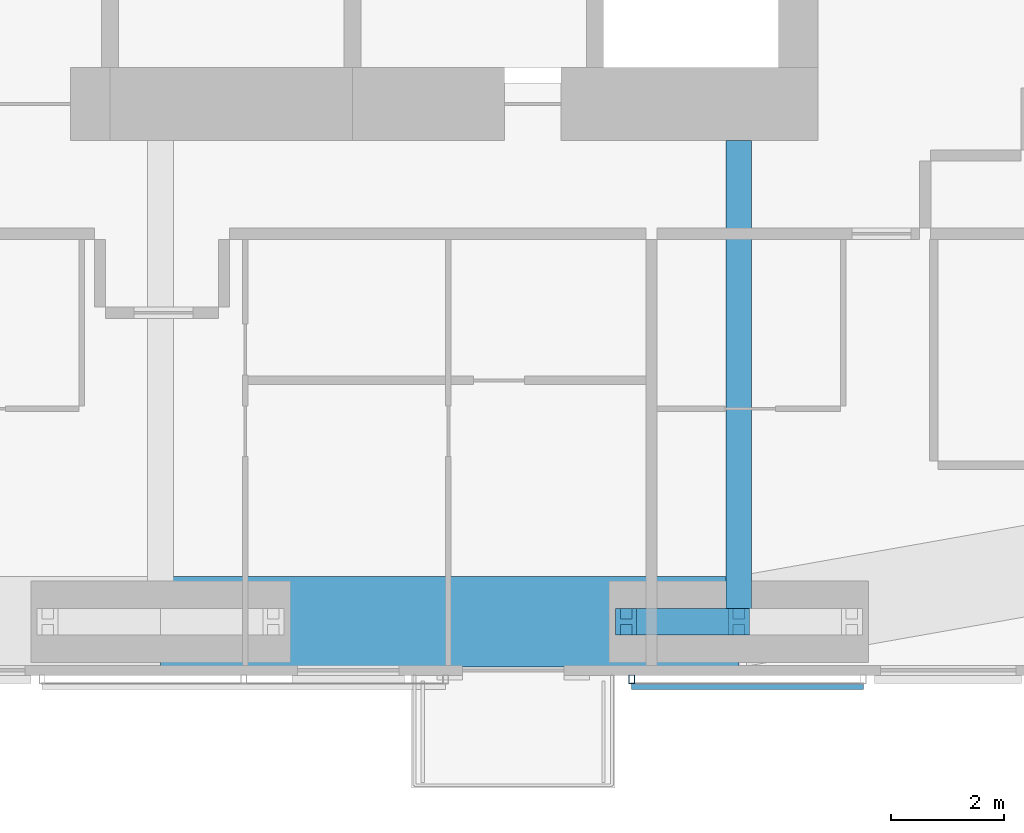
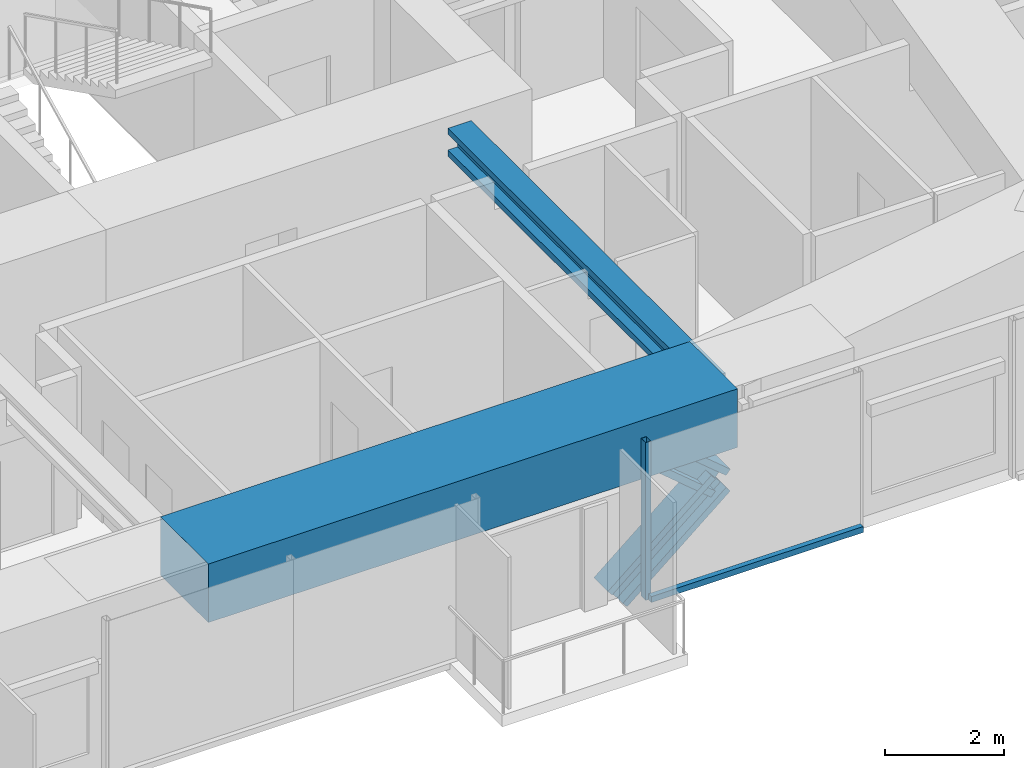
# One storey, part 4 of 22: 4 members, 2 beams, 1 element without a shape of its own.
"""IFC4 building model written with IfcOpenShell, lengths in metres."""

import ifcopenshell
import ifcopenshell.guid

model = None  # the IFC model being written
_history = None  # IfcOwnerHistory: only IFC2X3 demands one
_inside = {}  # id of a spatial element -> (the spatial element, [elements in it])
_under = {}  # id of a project, library or spatial element -> (it, [spatial elements below it])
_declared = {}  # id of a project -> (the project, [libraries it declares])
_typed = {}  # id of a type object -> (the type object, [elements of that type])
_made_of = {}  # id of a material, layer set ... -> (it, [elements and type objects made of it])


def new_model(schema):
    """Start an empty IFC model of exactly this schema.

    Asked for "IFC4X3", IfcOpenShell would pick the latest addendum, in which some entities
    have other attributes; the version numbers below select the first issue.
    IFC2X3 requires an IfcOwnerHistory on every rooted entity: one is made here for all.
    """
    global model, _history
    if schema == "IFC4X3":
        model = ifcopenshell.file(schema_version=(4, 3, 0, 0))
    else:
        model = ifcopenshell.file(schema=schema)
    _inside.clear()
    _under.clear()
    _declared.clear()
    _typed.clear()
    _made_of.clear()
    _history = None
    if model.schema == "IFC2X3":
        org = make("IfcOrganization", Name="unknown")
        user = make(
            "IfcPersonAndOrganization",
            ThePerson=make("IfcPerson", FamilyName="unknown"),
            TheOrganization=org,
        )
        app = make(
            "IfcApplication",
            ApplicationDeveloper=org,
            Version="unknown",
            ApplicationFullName="unknown",
            ApplicationIdentifier="unknown",
        )
        _history = make(
            "IfcOwnerHistory",
            OwningUser=user,
            OwningApplication=app,
            ChangeAction="ADDED",
            CreationDate=0,
        )
    return model


def make(cls, **values):
    """One entity of the class cls with the attributes given. An attribute that is None is left unset."""
    return model.create_entity(
        cls, **{name: value for name, value in values.items() if value is not None}
    )


def rooted(cls, **values):
    """An entity with a GlobalId (a new one), such as an element, a storey or a relation."""
    return make(cls, GlobalId=ifcopenshell.guid.new(), OwnerHistory=_history, **values)


def si_unit(unit_type, name, prefix=None):
    """IfcSIUnit, for example si_unit("LENGTHUNIT", "METRE", prefix="MILLI")."""
    return make("IfcSIUnit", UnitType=unit_type, Prefix=prefix, Name=name)


def assignment(units):
    """IfcUnitAssignment: the units of a project."""
    return None if units is None else make("IfcUnitAssignment", Units=units)


def point(xyz):
    """IfcCartesianPoint."""
    return None if xyz is None else make("IfcCartesianPoint", Coordinates=xyz)


def direction(xyz):
    """IfcDirection."""
    return None if xyz is None else make("IfcDirection", DirectionRatios=xyz)


def frame(location, z_axis=None, x_axis=None):
    """IfcAxis2Placement3D, a coordinate frame: its origin and axes. An axis left out is left unset."""
    return make(
        "IfcAxis2Placement3D",
        Location=point(location),
        Axis=direction(z_axis),
        RefDirection=direction(x_axis),
    )


def frame_2d(location, x_axis=None):
    """IfcAxis2Placement2D, a coordinate frame in the plane: its origin and x axis."""
    return make(
        "IfcAxis2Placement2D", Location=point(location), RefDirection=direction(x_axis)
    )


def origin():
    """The frame at (0, 0, 0) with its axes left unset."""
    return frame((0.0, 0.0, 0.0))


def origin_2d():
    """The frame at (0, 0) in the plane with its x axis left unset."""
    return frame_2d((0.0, 0.0))


def place(relative_to, where):
    """IfcLocalPlacement: puts the frame where relative to a parent placement (None: the world)."""
    return make(
        "IfcLocalPlacement", PlacementRelTo=relative_to, RelativePlacement=where
    )


def context(
    kind, dimensions, precision=None, world=None, true_north=None, identifier=None
):
    """IfcGeometricRepresentationContext, for example the 3D "Model" context."""
    return make(
        "IfcGeometricRepresentationContext",
        ContextIdentifier=identifier,
        ContextType=kind,
        CoordinateSpaceDimension=dimensions,
        Precision=precision,
        WorldCoordinateSystem=world,
        TrueNorth=true_north,
    )


def subcontext(parent, identifier, kind, view, scale=None):
    """IfcGeometricRepresentationSubContext, for example "Body" below "Model"."""
    return make(
        "IfcGeometricRepresentationSubContext",
        ContextIdentifier=identifier,
        ContextType=kind,
        ParentContext=parent,
        TargetScale=scale,
        TargetView=view,
    )


def project(units=None, contexts=None):
    """IfcProject with its units and contexts."""
    return rooted(
        "IfcProject",
        Name="project",
        RepresentationContexts=contexts,
        UnitsInContext=assignment(units),
    )


def spatial(cls, under=None, at=None, **own):
    """A site, building, storey or space (cls), placed at a placement, below another one or the project."""
    s = rooted(cls, ObjectPlacement=at, **own)
    if under is not None:
        _under.setdefault(under.id(), (under, []))[1].append(s)
    return s


def profile(cls, at=None, kind="AREA", **sizes):
    """A parametric profile (cls). Its sizes go by their IFC names, for example OverallWidth=200.0."""
    return make(cls, ProfileType=kind, Position=at, **sizes)


def rectangle(**sizes):
    """IfcRectangleProfileDef."""
    return profile("IfcRectangleProfileDef", **sizes)


def hollow_rectangle(**sizes):
    """IfcRectangleHollowProfileDef."""
    return profile("IfcRectangleHollowProfileDef", **sizes)


def i_section(**sizes):
    """IfcIShapeProfileDef."""
    return profile("IfcIShapeProfileDef", **sizes)


def extrude(swept, where, along, depth):
    """IfcExtrudedAreaSolid: the profile swept, set in the frame where, extruded along a direction by depth."""
    return make(
        "IfcExtrudedAreaSolid",
        SweptArea=swept,
        Position=where,
        ExtrudedDirection=direction(along),
        Depth=depth,
    )


def shape(context_of_items, identifier, shape_type, items):
    """IfcShapeRepresentation: the items that make up one representation, for example the "Body"."""
    return make(
        "IfcShapeRepresentation",
        ContextOfItems=context_of_items,
        RepresentationIdentifier=identifier,
        RepresentationType=shape_type,
        Items=items,
    )


def material(Name=None, Category=None):
    """IfcMaterial."""
    return make("IfcMaterial", Name=Name, Category=Category)


def material_profile(
    of_material, cross_section, Name=None, Category=None, Priority=None
):
    """IfcMaterialProfile: a cross section and its material."""
    return make(
        "IfcMaterialProfile",
        Name=Name,
        Material=of_material,
        Profile=cross_section,
        Priority=Priority,
        Category=Category,
    )


def profile_set(profiles, Name=None, composite=None):
    """IfcMaterialProfileSet."""
    return make(
        "IfcMaterialProfileSet",
        Name=Name,
        MaterialProfiles=profiles,
        CompositeProfile=composite,
    )


def made_of(thing, what):
    """Note that an element or type object is made of a material, layer set ...; save() writes the relation."""
    if what is not None:
        _made_of.setdefault(what.id(), (what, []))[1].append(thing)
    return thing


def type_object(cls, material=None, **own):
    """A type object (cls), such as IfcWallType, which elements share."""
    return made_of(rooted(cls, **own), material)


def element(
    cls,
    number,
    at=None,
    inside=None,
    cuts=None,
    type_object=None,
    material=None,
    context=None,
    identifier="Body",
    shape_type=None,
    held_by="IfcProductDefinitionShape",
    body=None,
    shapes=None,
    **own,
):
    """One element of the class cls, such as IfcWall. Its Tag is "e" and its number.

    at: its placement. inside: the storey or other place that contains it. cuts: it is an
    opening in that element (IfcRelVoidsElement). A single representation is given by context,
    identifier, shape_type and body (its items); several are given by shapes. held_by: the class
    of the entity that holds the representations. save() writes the other relations.
    """
    e = rooted(cls, Tag="e%d" % number, ObjectPlacement=at, **own)
    if body is not None:
        shapes = [shape(context, identifier, shape_type, body)]
    if shapes is not None:
        e.Representation = make(held_by, Representations=shapes)
    if inside is not None:
        _inside.setdefault(inside.id(), (inside, []))[1].append(e)
    if cuts is not None:
        rooted(
            "IfcRelVoidsElement", RelatingBuildingElement=cuts, RelatedOpeningElement=e
        )
    if type_object is not None:
        _typed.setdefault(type_object.id(), (type_object, []))[1].append(e)
    return made_of(e, material)


def aggregate(whole, parts):
    """IfcRelAggregates: a whole, such as a stair, and the parts it consists of."""
    return rooted("IfcRelAggregates", RelatingObject=whole, RelatedObjects=parts)


def save(model, path):
    """Write the relations noted so far, then the file.

    IfcRelAggregates (storeys below a building ...), IfcRelContainedInSpatialStructure (elements
    in a storey), IfcRelDefinesByType, IfcRelAssociatesMaterial and IfcRelDeclares: one each for
    every whole, place, type object, material and project.
    """
    for whole, parts in _under.values():
        aggregate(whole, parts)
    for where, things in _inside.values():
        rooted(
            "IfcRelContainedInSpatialStructure",
            RelatedElements=things,
            RelatingStructure=where,
        )
    for kind, things in _typed.values():
        rooted("IfcRelDefinesByType", RelatedObjects=things, RelatingType=kind)
    for what, things in _made_of.values():
        rooted("IfcRelAssociatesMaterial", RelatedObjects=things, RelatingMaterial=what)
    for by, libraries in _declared.values():
        rooted("IfcRelDeclares", RelatingContext=by, RelatedDefinitions=libraries)
    model.write(path)


model = new_model("IFC4")

# Units and contexts
model_context = context("Model", 3, precision=1e-05, world=origin(), true_north=direction((0.0, 1.0)))
body_context = subcontext(model_context, "Body", "Model", "MODEL_VIEW")
ifc_project = project(units=[si_unit("LENGTHUNIT", "METRE"), si_unit("AREAUNIT", "SQUARE_METRE"), si_unit("VOLUMEUNIT", "CUBIC_METRE"), si_unit("PLANEANGLEUNIT", "RADIAN"), si_unit("MASSUNIT", "GRAM", prefix="KILO")], contexts=[model_context])

# Site, building, storey
site_placement = place(None, origin())
site = spatial("IfcSite", under=ifc_project, at=site_placement, CompositionType="ELEMENT")
building_placement = place(site_placement, origin())
building = spatial("IfcBuilding", under=site, at=building_placement, Name="Jalousie Tower", CompositionType="ELEMENT")
storey_placement = place(building_placement, frame((0.0, 0.0, 174.449951171875)))
storey = spatial("IfcBuildingStorey", under=building, at=storey_placement, Name="L47", CompositionType="ELEMENT", Elevation=174.449951171875)

# Beam
ifc_material_1 = material(Name="Steel ASTM A992 Grade 50", Category="steel")
ifc_material_profile_1 = material_profile(ifc_material_1, i_section(OverallWidth=0.45458984375, OverallDepth=0.569091796875, WebThickness=0.077880859375, FlangeThickness=0.124755859375, at=origin_2d()), Name="W14X730")
ifc_profile_set_1 = profile_set([ifc_material_profile_1], Name="Steel ASTM A992 Grade 50")
beam_type_1 = type_object("IfcBeamType", Name="LEAN COLLECTOR W14X730", PredefinedType="BEAM", material=ifc_profile_set_1)
beam_1_placement = place(storey_placement, frame((42.75, 0.949951171875, 2.825439453125), z_axis=(0.0, 1.0, 0.0), x_axis=(-1.0, 0.0, 0.0)))
element("IfcBeam", 1, at=beam_1_placement, inside=storey, type_object=beam_type_1, Name="Lean collector under L48", PredefinedType="BEAM", context=body_context, shape_type="SweptSolid", body=[
    extrude(i_section(OverallWidth=0.45458984375, OverallDepth=0.569091796875, WebThickness=0.077880859375, FlangeThickness=0.124755859375, at=origin_2d()), origin(), (0.0, 0.0, 1.0), 8.525146484375),
])

# Members
ifc_material_2 = material(Name="Steel ASTM A992 Grade 50", Category="steel")
ifc_material_profile_2 = material_profile(ifc_material_2, i_section(OverallWidth=0.472412109375, OverallDepth=0.5791015625, WebThickness=0.094970703125, FlangeThickness=0.1298828125, at=origin_2d()), Name="W14X808")
ifc_profile_set_2 = profile_set([ifc_material_profile_2], Name="Steel ASTM A992 Grade 50")
member_type_1 = type_object("IfcMemberType", Name="PERIMETER BRACE W14X808", PredefinedType="BRACE", material=ifc_profile_set_2)
member_1_placement = place(storey_placement, frame((40.75, 0.949951171875, -0.599853515625), z_axis=(0.766684820047, 0.0, 0.642023665225), x_axis=(0.0, 1.0, 0.0)))
element("IfcMember", 2, at=member_1_placement, inside=storey, type_object=member_type_1, Name="Perimeter brace 04 L47 part 1", PredefinedType="BRACE", context=body_context, shape_type="SweptSolid", body=[
    extrude(i_section(OverallWidth=0.472412109375, OverallDepth=0.5791015625, WebThickness=0.094970703125, FlangeThickness=0.1298828125, at=origin_2d()), origin(), (0.0, 0.0, 1.0), 2.608642578125),
])
member_2_placement = place(storey_placement, frame((42.75, 0.949951171875, 1.074951171875), z_axis=(-0.766638753323, 0.0, 0.642078672674), x_axis=(0.0, -1.0, 0.0)))
element("IfcMember", 3, at=member_2_placement, inside=storey, type_object=member_type_1, Name="Perimeter brace 04 L47 part 4", PredefinedType="BRACE", context=body_context, shape_type="SweptSolid", body=[
    extrude(i_section(OverallWidth=0.472412109375, OverallDepth=0.5791015625, WebThickness=0.094970703125, FlangeThickness=0.1298828125, at=origin_2d()), origin(), (0.0, 0.0, 1.0), 2.60888671875),
])

# Beam
ifc_material_3 = material(Name="Concrete f'c 40 MPa", Category="concrete")
ifc_material_profile_3 = material_profile(ifc_material_3, rectangle(XDim=1.60009765625, YDim=1.199951171875, at=origin_2d()), Name="RC 1600x1200")
ifc_profile_set_3 = profile_set([ifc_material_profile_3], Name="Concrete f'c 40 MPa")
beam_type_2 = type_object("IfcBeamType", Name="RC BEAM 1600x1200", PredefinedType="BEAM", material=ifc_profile_set_3)
beam_2_placement = place(storey_placement, frame((32.5, 0.949951171875, 2.75), z_axis=(1.0, 0.0, 0.0), x_axis=(0.0, 1.0, 0.0)))
element("IfcBeam", 4, at=beam_2_placement, inside=storey, type_object=beam_type_2, Name="Edge band beam 03-04 under L48", PredefinedType="BEAM", context=body_context, shape_type="SweptSolid", body=[
    extrude(rectangle(XDim=1.60009765625, YDim=1.199951171875, at=origin_2d()), origin(), (0.0, 0.0, 1.0), 10.25),
])

# Curtain wall, members
ifc_material_4 = material(Name="Perforated aluminium sheet", Category="aluminium")
curtain_wall_type = type_object("IfcCurtainWallType", Name="SOLAR SCREEN SS-1", PredefinedType="USERDEFINED", material=ifc_material_4)
curtain_wall_placement = place(storey_placement, origin())
curtain_wall = element("IfcCurtainWall", 5, at=curtain_wall_placement, inside=storey, type_object=curtain_wall_type, Name="Solar screen L47", ObjectType="SOLAR SCREEN SS-1", PredefinedType="USERDEFINED")
ifc_material_5 = material(Name="Steel ASTM A500 Grade C", Category="steel")
ifc_material_profile_4 = material_profile(ifc_material_5, hollow_rectangle(XDim=0.1015625, YDim=0.15234375, WallThickness=0.00634765625, at=origin_2d()), Name="HSS6X4X1/4")
ifc_profile_set_4 = profile_set([ifc_material_profile_4], Name="Steel ASTM A500 Grade C")
member_type_2 = type_object("IfcMemberType", Name="SOLAR SCREEN SS-1 MULLION", PredefinedType="MULLION", material=ifc_profile_set_4)
member_3_placement = place(storey_placement, frame((40.85009765625, -0.0712890625, -0.119873046875), z_axis=(0.0, 0.0, 1.0), x_axis=(1.0, 0.0, 0.0)))
member_3 = element("IfcMember", 6, at=member_3_placement, type_object=member_type_2, Name="SS1 post 1", PredefinedType="MULLION", context=body_context, shape_type="SweptSolid", body=[
    extrude(hollow_rectangle(XDim=0.1015625, YDim=0.15234375, WallThickness=0.00634765625, at=origin_2d()), origin(), (0.0, 0.0, 1.0), 3.22998046875),
])
ifc_material_6 = material(Name="Extruded aluminium screen rail", Category="aluminium")
ifc_material_profile_5 = material_profile(ifc_material_6, rectangle(XDim=0.1015625, YDim=0.1201171875, at=origin_2d()), Name="RAIL 102x120")
ifc_profile_set_5 = profile_set([ifc_material_profile_5], Name="Extruded aluminium screen rail")
member_type_3 = type_object("IfcMemberType", Name="SOLAR SCREEN SS-1 TRANSOM", PredefinedType="USERDEFINED", material=ifc_profile_set_5)
member_4_placement = place(storey_placement, frame((40.85009765625, -0.1982421875, -0.06005859375), z_axis=(1.0, 0.0, 0.0), x_axis=(0.0, 1.0, 0.0)))
member_4 = element("IfcMember", 7, at=member_4_placement, type_object=member_type_3, Name="SS1 rail", ObjectType="TRANSOM", PredefinedType="USERDEFINED", context=body_context, shape_type="SweptSolid", body=[
    extrude(rectangle(XDim=0.1015625, YDim=0.1201171875, at=origin_2d()), origin(), (0.0, 0.0, 1.0), 4.106689453125),
])
aggregate(curtain_wall, [member_3, member_4])

save(model, "model.ifc")
